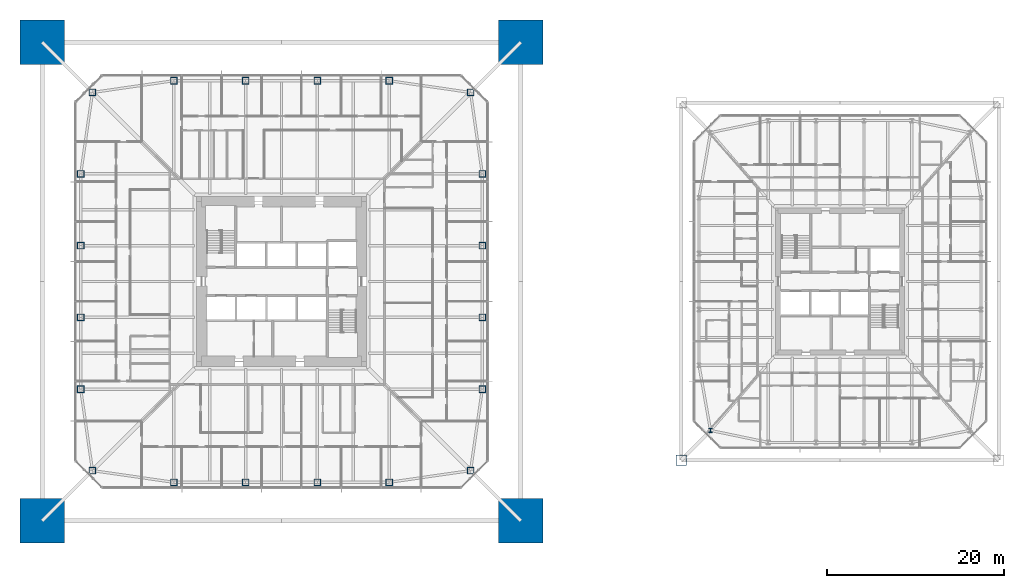
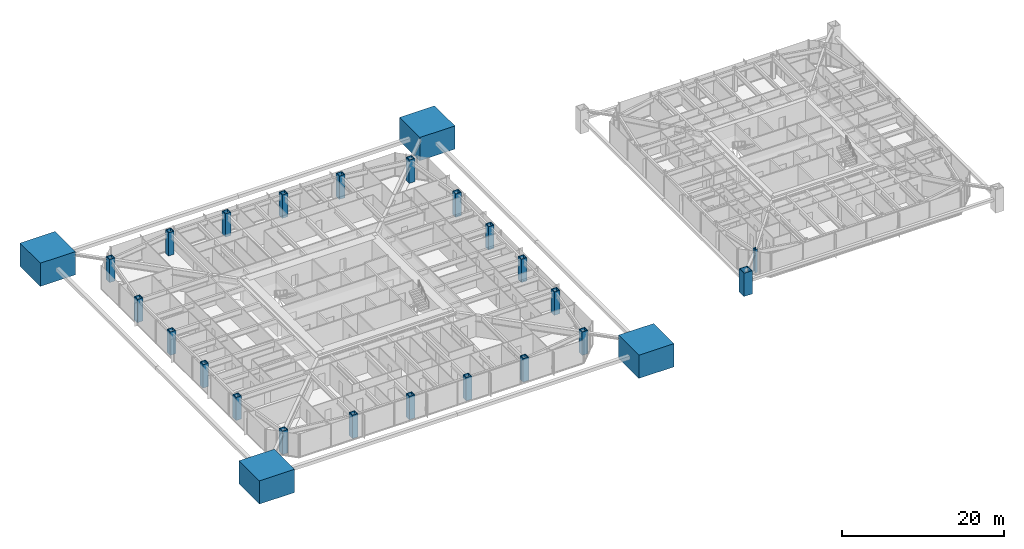
# One storey, part 1 of 27: 26 columns.
"""IFC4 building model written with IfcOpenShell, lengths in metres."""

import ifcopenshell
import ifcopenshell.guid

model = None  # the IFC model being written
_history = None  # IfcOwnerHistory: only IFC2X3 demands one
_inside = {}  # id of a spatial element -> (the spatial element, [elements in it])
_under = {}  # id of a project, library or spatial element -> (it, [spatial elements below it])
_declared = {}  # id of a project -> (the project, [libraries it declares])
_typed = {}  # id of a type object -> (the type object, [elements of that type])
_made_of = {}  # id of a material, layer set ... -> (it, [elements and type objects made of it])


def new_model(schema):
    """Start an empty IFC model of exactly this schema.

    Asked for "IFC4X3", IfcOpenShell would pick the latest addendum, in which some entities
    have other attributes; the version numbers below select the first issue.
    IFC2X3 requires an IfcOwnerHistory on every rooted entity: one is made here for all.
    """
    global model, _history
    if schema == "IFC4X3":
        model = ifcopenshell.file(schema_version=(4, 3, 0, 0))
    else:
        model = ifcopenshell.file(schema=schema)
    _inside.clear()
    _under.clear()
    _declared.clear()
    _typed.clear()
    _made_of.clear()
    _history = None
    if model.schema == "IFC2X3":
        org = make("IfcOrganization", Name="unknown")
        user = make(
            "IfcPersonAndOrganization",
            ThePerson=make("IfcPerson", FamilyName="unknown"),
            TheOrganization=org,
        )
        app = make(
            "IfcApplication",
            ApplicationDeveloper=org,
            Version="unknown",
            ApplicationFullName="unknown",
            ApplicationIdentifier="unknown",
        )
        _history = make(
            "IfcOwnerHistory",
            OwningUser=user,
            OwningApplication=app,
            ChangeAction="ADDED",
            CreationDate=0,
        )
    return model


def make(cls, **values):
    """One entity of the class cls with the attributes given. An attribute that is None is left unset."""
    return model.create_entity(
        cls, **{name: value for name, value in values.items() if value is not None}
    )


def rooted(cls, **values):
    """An entity with a GlobalId (a new one), such as an element, a storey or a relation."""
    return make(cls, GlobalId=ifcopenshell.guid.new(), OwnerHistory=_history, **values)


def si_unit(unit_type, name, prefix=None):
    """IfcSIUnit, for example si_unit("LENGTHUNIT", "METRE", prefix="MILLI")."""
    return make("IfcSIUnit", UnitType=unit_type, Prefix=prefix, Name=name)


def assignment(units):
    """IfcUnitAssignment: the units of a project."""
    return None if units is None else make("IfcUnitAssignment", Units=units)


def point(xyz):
    """IfcCartesianPoint."""
    return None if xyz is None else make("IfcCartesianPoint", Coordinates=xyz)


def direction(xyz):
    """IfcDirection."""
    return None if xyz is None else make("IfcDirection", DirectionRatios=xyz)


def frame(location, z_axis=None, x_axis=None):
    """IfcAxis2Placement3D, a coordinate frame: its origin and axes. An axis left out is left unset."""
    return make(
        "IfcAxis2Placement3D",
        Location=point(location),
        Axis=direction(z_axis),
        RefDirection=direction(x_axis),
    )


def frame_2d(location, x_axis=None):
    """IfcAxis2Placement2D, a coordinate frame in the plane: its origin and x axis."""
    return make(
        "IfcAxis2Placement2D", Location=point(location), RefDirection=direction(x_axis)
    )


def origin():
    """The frame at (0, 0, 0) with its axes left unset."""
    return frame((0.0, 0.0, 0.0))


def origin_2d():
    """The frame at (0, 0) in the plane with its x axis left unset."""
    return frame_2d((0.0, 0.0))


def place(relative_to, where):
    """IfcLocalPlacement: puts the frame where relative to a parent placement (None: the world)."""
    return make(
        "IfcLocalPlacement", PlacementRelTo=relative_to, RelativePlacement=where
    )


def context(
    kind, dimensions, precision=None, world=None, true_north=None, identifier=None
):
    """IfcGeometricRepresentationContext, for example the 3D "Model" context."""
    return make(
        "IfcGeometricRepresentationContext",
        ContextIdentifier=identifier,
        ContextType=kind,
        CoordinateSpaceDimension=dimensions,
        Precision=precision,
        WorldCoordinateSystem=world,
        TrueNorth=true_north,
    )


def subcontext(parent, identifier, kind, view, scale=None):
    """IfcGeometricRepresentationSubContext, for example "Body" below "Model"."""
    return make(
        "IfcGeometricRepresentationSubContext",
        ContextIdentifier=identifier,
        ContextType=kind,
        ParentContext=parent,
        TargetScale=scale,
        TargetView=view,
    )


def project(units=None, contexts=None):
    """IfcProject with its units and contexts."""
    return rooted(
        "IfcProject",
        Name="project",
        RepresentationContexts=contexts,
        UnitsInContext=assignment(units),
    )


def spatial(cls, under=None, at=None, **own):
    """A site, building, storey or space (cls), placed at a placement, below another one or the project."""
    s = rooted(cls, ObjectPlacement=at, **own)
    if under is not None:
        _under.setdefault(under.id(), (under, []))[1].append(s)
    return s


def profile(cls, at=None, kind="AREA", **sizes):
    """A parametric profile (cls). Its sizes go by their IFC names, for example OverallWidth=200.0."""
    return make(cls, ProfileType=kind, Position=at, **sizes)


def rectangle(**sizes):
    """IfcRectangleProfileDef."""
    return profile("IfcRectangleProfileDef", **sizes)


def hollow_rectangle(**sizes):
    """IfcRectangleHollowProfileDef."""
    return profile("IfcRectangleHollowProfileDef", **sizes)


def i_section(**sizes):
    """IfcIShapeProfileDef."""
    return profile("IfcIShapeProfileDef", **sizes)


def extrude(swept, where, along, depth):
    """IfcExtrudedAreaSolid: the profile swept, set in the frame where, extruded along a direction by depth."""
    return make(
        "IfcExtrudedAreaSolid",
        SweptArea=swept,
        Position=where,
        ExtrudedDirection=direction(along),
        Depth=depth,
    )


def shape(context_of_items, identifier, shape_type, items):
    """IfcShapeRepresentation: the items that make up one representation, for example the "Body"."""
    return make(
        "IfcShapeRepresentation",
        ContextOfItems=context_of_items,
        RepresentationIdentifier=identifier,
        RepresentationType=shape_type,
        Items=items,
    )


def material(Name=None, Category=None):
    """IfcMaterial."""
    return make("IfcMaterial", Name=Name, Category=Category)


def material_profile(
    of_material, cross_section, Name=None, Category=None, Priority=None
):
    """IfcMaterialProfile: a cross section and its material."""
    return make(
        "IfcMaterialProfile",
        Name=Name,
        Material=of_material,
        Profile=cross_section,
        Priority=Priority,
        Category=Category,
    )


def profile_set(profiles, Name=None, composite=None):
    """IfcMaterialProfileSet."""
    return make(
        "IfcMaterialProfileSet",
        Name=Name,
        MaterialProfiles=profiles,
        CompositeProfile=composite,
    )


def made_of(thing, what):
    """Note that an element or type object is made of a material, layer set ...; save() writes the relation."""
    if what is not None:
        _made_of.setdefault(what.id(), (what, []))[1].append(thing)
    return thing


def type_object(cls, material=None, **own):
    """A type object (cls), such as IfcWallType, which elements share."""
    return made_of(rooted(cls, **own), material)


def element(
    cls,
    number,
    at=None,
    inside=None,
    cuts=None,
    type_object=None,
    material=None,
    context=None,
    identifier="Body",
    shape_type=None,
    held_by="IfcProductDefinitionShape",
    body=None,
    shapes=None,
    **own,
):
    """One element of the class cls, such as IfcWall. Its Tag is "e" and its number.

    at: its placement. inside: the storey or other place that contains it. cuts: it is an
    opening in that element (IfcRelVoidsElement). A single representation is given by context,
    identifier, shape_type and body (its items); several are given by shapes. held_by: the class
    of the entity that holds the representations. save() writes the other relations.
    """
    e = rooted(cls, Tag="e%d" % number, ObjectPlacement=at, **own)
    if body is not None:
        shapes = [shape(context, identifier, shape_type, body)]
    if shapes is not None:
        e.Representation = make(held_by, Representations=shapes)
    if inside is not None:
        _inside.setdefault(inside.id(), (inside, []))[1].append(e)
    if cuts is not None:
        rooted(
            "IfcRelVoidsElement", RelatingBuildingElement=cuts, RelatedOpeningElement=e
        )
    if type_object is not None:
        _typed.setdefault(type_object.id(), (type_object, []))[1].append(e)
    return made_of(e, material)


def aggregate(whole, parts):
    """IfcRelAggregates: a whole, such as a stair, and the parts it consists of."""
    return rooted("IfcRelAggregates", RelatingObject=whole, RelatedObjects=parts)


def save(model, path):
    """Write the relations noted so far, then the file.

    IfcRelAggregates (storeys below a building ...), IfcRelContainedInSpatialStructure (elements
    in a storey), IfcRelDefinesByType, IfcRelAssociatesMaterial and IfcRelDeclares: one each for
    every whole, place, type object, material and project.
    """
    for whole, parts in _under.values():
        aggregate(whole, parts)
    for where, things in _inside.values():
        rooted(
            "IfcRelContainedInSpatialStructure",
            RelatedElements=things,
            RelatingStructure=where,
        )
    for kind, things in _typed.values():
        rooted("IfcRelDefinesByType", RelatedObjects=things, RelatingType=kind)
    for what, things in _made_of.values():
        rooted("IfcRelAssociatesMaterial", RelatedObjects=things, RelatingMaterial=what)
    for by, libraries in _declared.values():
        rooted("IfcRelDeclares", RelatingContext=by, RelatedDefinitions=libraries)
    model.write(path)


model = new_model("IFC4")

# Units and contexts
model_context = context("Model", 3, precision=1e-05, world=origin(), true_north=direction((0.0, 1.0)))
body_context = subcontext(model_context, "Body", "Model", "MODEL_VIEW")
ifc_project = project(units=[si_unit("LENGTHUNIT", "METRE"), si_unit("AREAUNIT", "SQUARE_METRE"), si_unit("VOLUMEUNIT", "CUBIC_METRE"), si_unit("PLANEANGLEUNIT", "RADIAN"), si_unit("MASSUNIT", "GRAM", prefix="KILO")], contexts=[model_context])

# Site, building, storey
site_placement = place(None, origin())
site = spatial("IfcSite", under=ifc_project, at=site_placement, CompositionType="ELEMENT")
building_placement = place(site_placement, origin())
building = spatial("IfcBuilding", under=site, at=building_placement, Name="Iwan Alto Co-Living Towers", CompositionType="ELEMENT")
storey_placement = place(building_placement, frame((0.0, 0.0, 53.5)))
storey = spatial("IfcBuildingStorey", under=building, at=storey_placement, Name="L14", CompositionType="ELEMENT", Elevation=53.5)

# Columns
ifc_material_1 = material(Name="Concrete f'c 70 MPa", Category="concrete")
ifc_material_profile_1 = material_profile(ifc_material_1, rectangle(XDim=5.0, YDim=5.0, at=origin_2d()), Name="RC 5000X5000")
ifc_profile_set_1 = profile_set([ifc_material_profile_1], Name="Concrete f'c 70 MPa")
column_type_1 = type_object("IfcColumnType", Name="T1 MEGA COLUMN RC 5000X5000", PredefinedType="COLUMN", material=ifc_profile_set_1)
for number, where, z_axis, x_axis, name in (
    (1, (-27.0, -27.0, 0.0), (0.0, 0.0, 1.0), (1.0, 0.0, 0.0), "T1 mega column SW L14"),
    (2, (27.0, -27.0, 0.0), (0.0, 0.0, 1.0), (1.0, 0.0, 0.0), "T1 mega column SE L14"),
    (3, (27.0, 27.0, 0.0), (0.0, 0.0, 1.0), (1.0, 0.0, 0.0), "T1 mega column NE L14"),
    (4, (-27.0, 27.0, 0.0), (0.0, 0.0, 1.0), (1.0, 0.0, 0.0), "T1 mega column NW L14"),
):
    element("IfcColumn", number, at=place(storey_placement, frame(where, z_axis=z_axis, x_axis=x_axis)), inside=storey, type_object=column_type_1, Name=name, PredefinedType="COLUMN", context=body_context, shape_type="SweptSolid", body=[
        extrude(rectangle(XDim=5.0, YDim=5.0, at=origin_2d()), origin(), (0.0, 0.0, 1.0), 3.5),
        extrude(i_section(OverallWidth=0.4775390625, OverallDepth=0.599365234375, WebThickness=0.10009765625, FlangeThickness=0.139892578125, at=origin_2d()), origin(), (0.0, 0.0, 1.0), 3.5),
    ])
ifc_material_2 = material(Name="Steel ASTM A572 Gr 50", Category="steel")
ifc_material_profile_2 = material_profile(ifc_material_2, hollow_rectangle(XDim=0.800048828125, YDim=0.800048828125, WallThickness=0.090087890625, at=origin_2d()), Name="BOX 800X800X90")
ifc_profile_set_2 = profile_set([ifc_material_profile_2], Name="Steel ASTM A572 Gr 50")
column_type_2 = type_object("IfcColumnType", Name="T1 RING COLUMN BOX 800X800X90", PredefinedType="COLUMN", material=ifc_profile_set_2)
for number, where, z_axis, x_axis, name in (
    (5, (-21.32568359375, -21.32568359375, 0.0), (0.0, 0.0, 1.0), (1.0, 0.0, 0.0), "T1 ring column CSW L14"),
    (6, (-12.14990234375, -22.64990234375, 0.0), (0.0, 0.0, 1.0), (1.0, 0.0, 0.0), "T1 ring column S1 L14"),
    (7, (-4.050048828125, -22.64990234375, 0.0), (0.0, 0.0, 1.0), (1.0, 0.0, 0.0), "T1 ring column S2 L14"),
    (8, (4.050048828125, -22.64990234375, 0.0), (0.0, 0.0, 1.0), (1.0, 0.0, 0.0), "T1 ring column S3 L14"),
    (9, (12.14990234375, -22.64990234375, 0.0), (0.0, 0.0, 1.0), (1.0, 0.0, 0.0), "T1 ring column S4 L14"),
    (10, (21.32568359375, -21.32568359375, 0.0), (0.0, 0.0, 1.0), (1.0, 0.0, 0.0), "T1 ring column CSE L14"),
    (11, (22.64990234375, -12.14990234375, 0.0), (0.0, 0.0, 1.0), (1.0, 0.0, 0.0), "T1 ring column E1 L14"),
    (12, (22.64990234375, -4.050048828125, 0.0), (0.0, 0.0, 1.0), (1.0, 0.0, 0.0), "T1 ring column E2 L14"),
    (13, (22.64990234375, 4.050048828125, 0.0), (0.0, 0.0, 1.0), (1.0, 0.0, 0.0), "T1 ring column E3 L14"),
    (14, (22.64990234375, 12.14990234375, 0.0), (0.0, 0.0, 1.0), (1.0, 0.0, 0.0), "T1 ring column E4 L14"),
    (15, (21.32568359375, 21.32568359375, 0.0), (0.0, 0.0, 1.0), (1.0, 0.0, 0.0), "T1 ring column CNE L14"),
    (16, (12.14990234375, 22.64990234375, 0.0), (0.0, 0.0, 1.0), (1.0, 0.0, 0.0), "T1 ring column N1 L14"),
    (17, (4.050048828125, 22.64990234375, 0.0), (0.0, 0.0, 1.0), (1.0, 0.0, 0.0), "T1 ring column N2 L14"),
    (18, (-4.050048828125, 22.64990234375, 0.0), (0.0, 0.0, 1.0), (1.0, 0.0, 0.0), "T1 ring column N3 L14"),
    (19, (-12.14990234375, 22.64990234375, 0.0), (0.0, 0.0, 1.0), (1.0, 0.0, 0.0), "T1 ring column N4 L14"),
    (20, (-21.32568359375, 21.32568359375, 0.0), (0.0, 0.0, 1.0), (1.0, 0.0, 0.0), "T1 ring column CNW L14"),
    (21, (-22.64990234375, 12.14990234375, 0.0), (0.0, 0.0, 1.0), (1.0, 0.0, 0.0), "T1 ring column W1 L14"),
    (22, (-22.64990234375, 4.050048828125, 0.0), (0.0, 0.0, 1.0), (1.0, 0.0, 0.0), "T1 ring column W2 L14"),
    (23, (-22.64990234375, -4.050048828125, 0.0), (0.0, 0.0, 1.0), (1.0, 0.0, 0.0), "T1 ring column W3 L14"),
    (24, (-22.64990234375, -12.14990234375, 0.0), (0.0, 0.0, 1.0), (1.0, 0.0, 0.0), "T1 ring column W4 L14"),
):
    element("IfcColumn", number, at=place(storey_placement, frame(where, z_axis=z_axis, x_axis=x_axis)), inside=storey, type_object=column_type_2, Name=name, PredefinedType="COLUMN", context=body_context, shape_type="SweptSolid", body=[
        extrude(hollow_rectangle(XDim=0.800048828125, YDim=0.800048828125, WallThickness=0.090087890625, at=origin_2d()), origin(), (0.0, 0.0, 1.0), 3.5),
    ])
ifc_material_3 = material(Name="Steel ASTM A572 Gr 50", Category="steel")
ifc_material_profile_3 = material_profile(ifc_material_3, hollow_rectangle(XDim=1.199951171875, YDim=1.199951171875, WallThickness=0.070068359375, at=origin_2d()), Name="BOX 1200X1200X70")
ifc_profile_set_3 = profile_set([ifc_material_profile_3], Name="Steel ASTM A572 Gr 50")
column_type_3 = type_object("IfcColumnType", Name="T2 MEGA COLUMN BOX 1200X1200X70", PredefinedType="COLUMN", material=ifc_profile_set_3)
column_1_placement = place(storey_placement, frame((45.10009765625, -20.14990234375, 0.0), z_axis=(0.0, 0.0, 1.0), x_axis=(1.0, 0.0, 0.0)))
element("IfcColumn", 25, at=column_1_placement, inside=storey, type_object=column_type_3, Name="T2 mega column SW L14", PredefinedType="COLUMN", context=body_context, shape_type="SweptSolid", body=[
    extrude(hollow_rectangle(XDim=1.199951171875, YDim=1.199951171875, WallThickness=0.070068359375, at=origin_2d()), origin(), (0.0, 0.0, 1.0), 3.5),
])
ifc_material_4 = material(Name="Steel ASTM A992 Gr 50", Category="steel")
ifc_material_profile_4 = material_profile(ifc_material_4, i_section(OverallWidth=0.424072265625, OverallDepth=0.47509765625, WebThickness=0.0478515625, FlangeThickness=0.0771484375, at=origin_2d()), Name="W14X426")
ifc_profile_set_4 = profile_set([ifc_material_profile_4], Name="Steel ASTM A992 Gr 50")
column_type_4 = type_object("IfcColumnType", Name="T2 RING COLUMN W14X426", PredefinedType="COLUMN", material=ifc_profile_set_4)
column_2_placement = place(storey_placement, frame((48.393798828125, -16.797119140625, 0.0), z_axis=(0.0, 0.0, 1.0), x_axis=(1.0, 0.0, 0.0)))
element("IfcColumn", 26, at=column_2_placement, inside=storey, type_object=column_type_4, Name="T2 ring column CSW L14", PredefinedType="COLUMN", context=body_context, shape_type="SweptSolid", body=[
    extrude(i_section(OverallWidth=0.424072265625, OverallDepth=0.47509765625, WebThickness=0.0478515625, FlangeThickness=0.0771484375, at=origin_2d()), origin(), (0.0, 0.0, 1.0), 3.5),
])

save(model, "model.ifc")
